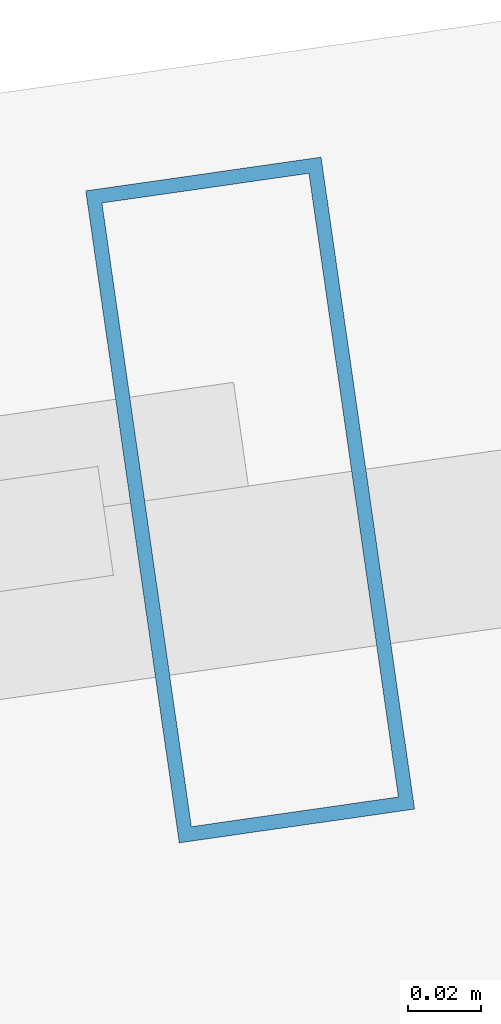
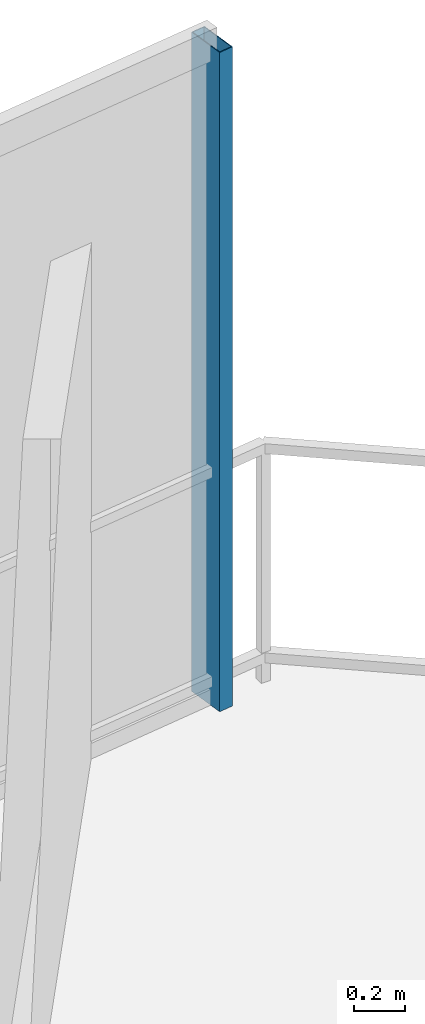
# One storey, part 22 of 29: 1 member, 1 element without a shape of its own.
"""IFC4 building model written with IfcOpenShell, lengths in metres."""

from ifc_helpers import new_model, si_unit, direction, frame, origin, origin_2d, place, context, subcontext, project, spatial, hollow_rectangle, extrude, material, layer, layer_set, material_profile, profile_set, type_object, element, aggregate, save


model = new_model("IFC4")

# Units and contexts
model_context = context("Model", 3, precision=1e-05, world=origin(), true_north=direction((0.0, 1.0)))
body_context = subcontext(model_context, "Body", "Model", "MODEL_VIEW")
ifc_project = project(units=[si_unit("LENGTHUNIT", "METRE"), si_unit("AREAUNIT", "SQUARE_METRE"), si_unit("VOLUMEUNIT", "CUBIC_METRE"), si_unit("PLANEANGLEUNIT", "RADIAN"), si_unit("MASSUNIT", "GRAM", prefix="KILO")], contexts=[model_context])

# Site, building, storey
site_placement = place(None, origin())
site = spatial("IfcSite", under=ifc_project, at=site_placement, CompositionType="ELEMENT")
building_placement = place(site_placement, origin())
building = spatial("IfcBuilding", under=site, at=building_placement, Name="Qarnah Convention Tower", CompositionType="ELEMENT")
storey_placement = place(building_placement, frame((0.0, 0.0, 97.050048828125)))
storey = spatial("IfcBuildingStorey", under=building, at=storey_placement, Name="L25", CompositionType="ELEMENT", Elevation=97.050048828125)

# Curtain wall, member
ifc_material_1 = material(Name="Tempered Low-E dark glass", Category="glass")
ifc_layer = layer(ifc_material_1, 0.169921875)
ifc_layer_set = layer_set([ifc_layer], Name="Tempered Low-E dark glass")
curtain_wall_type = type_object("IfcCurtainWallType", Name="CWS-02", PredefinedType="NOTDEFINED", material=ifc_layer_set)
curtain_wall_placement = place(storey_placement, origin())
curtain_wall = element("IfcCurtainWall", 1, at=curtain_wall_placement, inside=storey, type_object=curtain_wall_type, Name="L25 unitised curtain wall CW-L25-F1", PredefinedType="NOTDEFINED")
ifc_material_2 = material(Name="Black anodised aluminium", Category="aluminium")
ifc_material_profile = material_profile(ifc_material_2, hollow_rectangle(XDim=0.06494140625, YDim=0.179931640625, WallThickness=0.00390625, at=origin_2d()), Name="MUL-65X180")
ifc_profile_set = profile_set([ifc_material_profile], Name="Black anodised aluminium")
member_type = type_object("IfcMemberType", Name="MUL-T2", PredefinedType="MULLION", material=ifc_profile_set)
member_placement = place(storey_placement, frame((51.94189453125, 46.159912109375, 0.0), z_axis=(0.0, 0.0, 1.0), x_axis=(0.989875972225, 0.141935054203, 0.0)))
member = element("IfcMember", 2, at=member_placement, type_object=member_type, Name="CW-L25-F1 mullion 6", PredefinedType="MULLION", context=body_context, shape_type="SweptSolid", body=[
    extrude(hollow_rectangle(XDim=0.06494140625, YDim=0.179931640625, WallThickness=0.00390625, at=origin_2d()), origin(), (0.0, 0.0, 1.0), 3.169921875),
])
aggregate(curtain_wall, [member])

save(model, "model.ifc")
